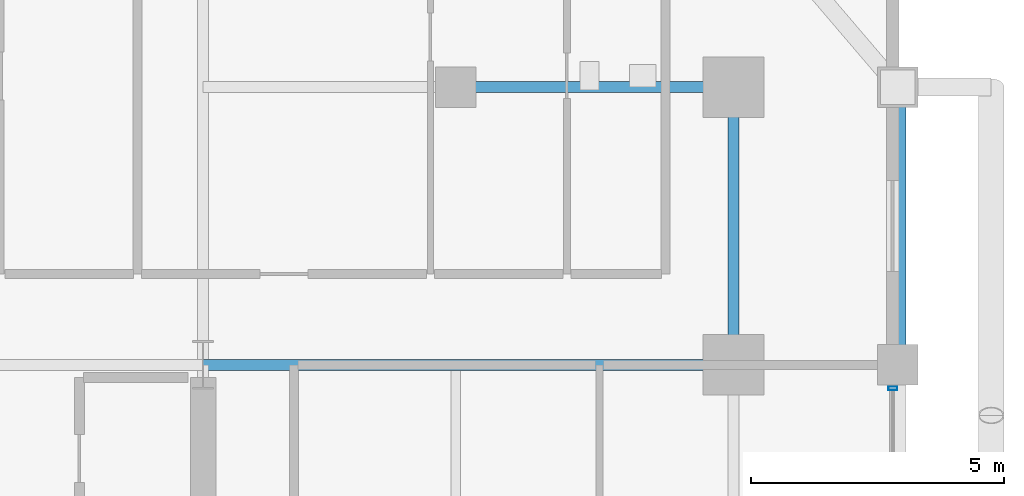
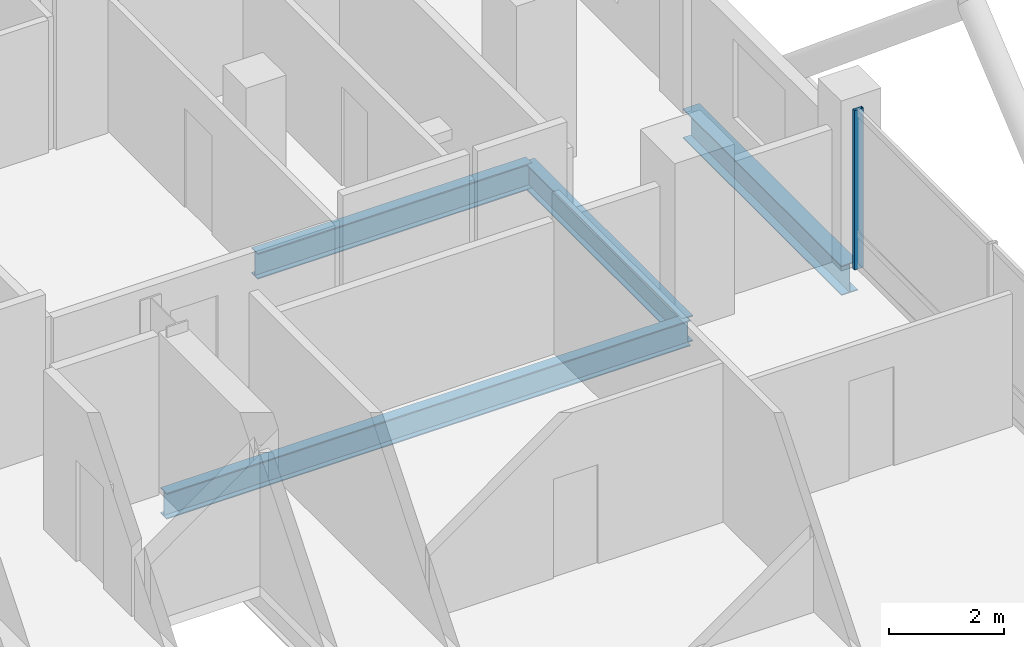
# One storey, part 17 of 24: 4 beams, 1 member, 1 element without a shape of its own.
"""IFC4 building model written with IfcOpenShell, lengths in metres."""

import ifcopenshell
import ifcopenshell.guid

model = None  # the IFC model being written
_history = None  # IfcOwnerHistory: only IFC2X3 demands one
_inside = {}  # id of a spatial element -> (the spatial element, [elements in it])
_under = {}  # id of a project, library or spatial element -> (it, [spatial elements below it])
_declared = {}  # id of a project -> (the project, [libraries it declares])
_typed = {}  # id of a type object -> (the type object, [elements of that type])
_made_of = {}  # id of a material, layer set ... -> (it, [elements and type objects made of it])


def new_model(schema):
    """Start an empty IFC model of exactly this schema.

    Asked for "IFC4X3", IfcOpenShell would pick the latest addendum, in which some entities
    have other attributes; the version numbers below select the first issue.
    IFC2X3 requires an IfcOwnerHistory on every rooted entity: one is made here for all.
    """
    global model, _history
    if schema == "IFC4X3":
        model = ifcopenshell.file(schema_version=(4, 3, 0, 0))
    else:
        model = ifcopenshell.file(schema=schema)
    _inside.clear()
    _under.clear()
    _declared.clear()
    _typed.clear()
    _made_of.clear()
    _history = None
    if model.schema == "IFC2X3":
        org = make("IfcOrganization", Name="unknown")
        user = make(
            "IfcPersonAndOrganization",
            ThePerson=make("IfcPerson", FamilyName="unknown"),
            TheOrganization=org,
        )
        app = make(
            "IfcApplication",
            ApplicationDeveloper=org,
            Version="unknown",
            ApplicationFullName="unknown",
            ApplicationIdentifier="unknown",
        )
        _history = make(
            "IfcOwnerHistory",
            OwningUser=user,
            OwningApplication=app,
            ChangeAction="ADDED",
            CreationDate=0,
        )
    return model


def make(cls, **values):
    """One entity of the class cls with the attributes given. An attribute that is None is left unset."""
    return model.create_entity(
        cls, **{name: value for name, value in values.items() if value is not None}
    )


def rooted(cls, **values):
    """An entity with a GlobalId (a new one), such as an element, a storey or a relation."""
    return make(cls, GlobalId=ifcopenshell.guid.new(), OwnerHistory=_history, **values)


def si_unit(unit_type, name, prefix=None):
    """IfcSIUnit, for example si_unit("LENGTHUNIT", "METRE", prefix="MILLI")."""
    return make("IfcSIUnit", UnitType=unit_type, Prefix=prefix, Name=name)


def assignment(units):
    """IfcUnitAssignment: the units of a project."""
    return None if units is None else make("IfcUnitAssignment", Units=units)


def point(xyz):
    """IfcCartesianPoint."""
    return None if xyz is None else make("IfcCartesianPoint", Coordinates=xyz)


def direction(xyz):
    """IfcDirection."""
    return None if xyz is None else make("IfcDirection", DirectionRatios=xyz)


def frame(location, z_axis=None, x_axis=None):
    """IfcAxis2Placement3D, a coordinate frame: its origin and axes. An axis left out is left unset."""
    return make(
        "IfcAxis2Placement3D",
        Location=point(location),
        Axis=direction(z_axis),
        RefDirection=direction(x_axis),
    )


def frame_2d(location, x_axis=None):
    """IfcAxis2Placement2D, a coordinate frame in the plane: its origin and x axis."""
    return make(
        "IfcAxis2Placement2D", Location=point(location), RefDirection=direction(x_axis)
    )


def origin():
    """The frame at (0, 0, 0) with its axes left unset."""
    return frame((0.0, 0.0, 0.0))


def origin_2d():
    """The frame at (0, 0) in the plane with its x axis left unset."""
    return frame_2d((0.0, 0.0))


def place(relative_to, where):
    """IfcLocalPlacement: puts the frame where relative to a parent placement (None: the world)."""
    return make(
        "IfcLocalPlacement", PlacementRelTo=relative_to, RelativePlacement=where
    )


def context(
    kind, dimensions, precision=None, world=None, true_north=None, identifier=None
):
    """IfcGeometricRepresentationContext, for example the 3D "Model" context."""
    return make(
        "IfcGeometricRepresentationContext",
        ContextIdentifier=identifier,
        ContextType=kind,
        CoordinateSpaceDimension=dimensions,
        Precision=precision,
        WorldCoordinateSystem=world,
        TrueNorth=true_north,
    )


def subcontext(parent, identifier, kind, view, scale=None):
    """IfcGeometricRepresentationSubContext, for example "Body" below "Model"."""
    return make(
        "IfcGeometricRepresentationSubContext",
        ContextIdentifier=identifier,
        ContextType=kind,
        ParentContext=parent,
        TargetScale=scale,
        TargetView=view,
    )


def project(units=None, contexts=None):
    """IfcProject with its units and contexts."""
    return rooted(
        "IfcProject",
        Name="project",
        RepresentationContexts=contexts,
        UnitsInContext=assignment(units),
    )


def spatial(cls, under=None, at=None, **own):
    """A site, building, storey or space (cls), placed at a placement, below another one or the project."""
    s = rooted(cls, ObjectPlacement=at, **own)
    if under is not None:
        _under.setdefault(under.id(), (under, []))[1].append(s)
    return s


def profile(cls, at=None, kind="AREA", **sizes):
    """A parametric profile (cls). Its sizes go by their IFC names, for example OverallWidth=200.0."""
    return make(cls, ProfileType=kind, Position=at, **sizes)


def hollow_rectangle(**sizes):
    """IfcRectangleHollowProfileDef."""
    return profile("IfcRectangleHollowProfileDef", **sizes)


def i_section(**sizes):
    """IfcIShapeProfileDef."""
    return profile("IfcIShapeProfileDef", **sizes)


def extrude(swept, where, along, depth):
    """IfcExtrudedAreaSolid: the profile swept, set in the frame where, extruded along a direction by depth."""
    return make(
        "IfcExtrudedAreaSolid",
        SweptArea=swept,
        Position=where,
        ExtrudedDirection=direction(along),
        Depth=depth,
    )


def shape(context_of_items, identifier, shape_type, items):
    """IfcShapeRepresentation: the items that make up one representation, for example the "Body"."""
    return make(
        "IfcShapeRepresentation",
        ContextOfItems=context_of_items,
        RepresentationIdentifier=identifier,
        RepresentationType=shape_type,
        Items=items,
    )


def material(Name=None, Category=None):
    """IfcMaterial."""
    return make("IfcMaterial", Name=Name, Category=Category)


def layer(
    of_material, thickness, ventilated=None, Name=None, Category=None, Priority=None
):
    """IfcMaterialLayer: one layer of a wall or slab, of a material (None: an air gap)."""
    return make(
        "IfcMaterialLayer",
        Material=of_material,
        LayerThickness=thickness,
        IsVentilated=ventilated,
        Name=Name,
        Category=Category,
        Priority=Priority,
    )


def layer_set(layers, Name=None):
    """IfcMaterialLayerSet."""
    return make("IfcMaterialLayerSet", MaterialLayers=layers, LayerSetName=Name)


def material_profile(
    of_material, cross_section, Name=None, Category=None, Priority=None
):
    """IfcMaterialProfile: a cross section and its material."""
    return make(
        "IfcMaterialProfile",
        Name=Name,
        Material=of_material,
        Profile=cross_section,
        Priority=Priority,
        Category=Category,
    )


def profile_set(profiles, Name=None, composite=None):
    """IfcMaterialProfileSet."""
    return make(
        "IfcMaterialProfileSet",
        Name=Name,
        MaterialProfiles=profiles,
        CompositeProfile=composite,
    )


def made_of(thing, what):
    """Note that an element or type object is made of a material, layer set ...; save() writes the relation."""
    if what is not None:
        _made_of.setdefault(what.id(), (what, []))[1].append(thing)
    return thing


def type_object(cls, material=None, **own):
    """A type object (cls), such as IfcWallType, which elements share."""
    return made_of(rooted(cls, **own), material)


def element(
    cls,
    number,
    at=None,
    inside=None,
    cuts=None,
    type_object=None,
    material=None,
    context=None,
    identifier="Body",
    shape_type=None,
    held_by="IfcProductDefinitionShape",
    body=None,
    shapes=None,
    **own,
):
    """One element of the class cls, such as IfcWall. Its Tag is "e" and its number.

    at: its placement. inside: the storey or other place that contains it. cuts: it is an
    opening in that element (IfcRelVoidsElement). A single representation is given by context,
    identifier, shape_type and body (its items); several are given by shapes. held_by: the class
    of the entity that holds the representations. save() writes the other relations.
    """
    e = rooted(cls, Tag="e%d" % number, ObjectPlacement=at, **own)
    if body is not None:
        shapes = [shape(context, identifier, shape_type, body)]
    if shapes is not None:
        e.Representation = make(held_by, Representations=shapes)
    if inside is not None:
        _inside.setdefault(inside.id(), (inside, []))[1].append(e)
    if cuts is not None:
        rooted(
            "IfcRelVoidsElement", RelatingBuildingElement=cuts, RelatedOpeningElement=e
        )
    if type_object is not None:
        _typed.setdefault(type_object.id(), (type_object, []))[1].append(e)
    return made_of(e, material)


def aggregate(whole, parts):
    """IfcRelAggregates: a whole, such as a stair, and the parts it consists of."""
    return rooted("IfcRelAggregates", RelatingObject=whole, RelatedObjects=parts)


def save(model, path):
    """Write the relations noted so far, then the file.

    IfcRelAggregates (storeys below a building ...), IfcRelContainedInSpatialStructure (elements
    in a storey), IfcRelDefinesByType, IfcRelAssociatesMaterial and IfcRelDeclares: one each for
    every whole, place, type object, material and project.
    """
    for whole, parts in _under.values():
        aggregate(whole, parts)
    for where, things in _inside.values():
        rooted(
            "IfcRelContainedInSpatialStructure",
            RelatedElements=things,
            RelatingStructure=where,
        )
    for kind, things in _typed.values():
        rooted("IfcRelDefinesByType", RelatedObjects=things, RelatingType=kind)
    for what, things in _made_of.values():
        rooted("IfcRelAssociatesMaterial", RelatedObjects=things, RelatingMaterial=what)
    for by, libraries in _declared.values():
        rooted("IfcRelDeclares", RelatingContext=by, RelatedDefinitions=libraries)
    model.write(path)


model = new_model("IFC4")

# Units and contexts
model_context = context("Model", 3, precision=1e-05, world=origin(), true_north=direction((0.0, 1.0)))
body_context = subcontext(model_context, "Body", "Model", "MODEL_VIEW")
ifc_project = project(units=[si_unit("LENGTHUNIT", "METRE"), si_unit("AREAUNIT", "SQUARE_METRE"), si_unit("VOLUMEUNIT", "CUBIC_METRE"), si_unit("PLANEANGLEUNIT", "RADIAN"), si_unit("MASSUNIT", "GRAM", prefix="KILO")], contexts=[model_context])

# Site, building, storey
site_placement = place(None, origin())
site = spatial("IfcSite", under=ifc_project, at=site_placement, CompositionType="ELEMENT")
building_placement = place(site_placement, origin())
building = spatial("IfcBuilding", under=site, at=building_placement, Name="Barlavira Tower and Art Museum", CompositionType="ELEMENT")
storey_placement = place(building_placement, frame((0.0, 0.0, 109.800048828125)))
storey = spatial("IfcBuildingStorey", under=building, at=storey_placement, Name="L27", CompositionType="ELEMENT", Elevation=109.800048828125)

# Curtain wall, member
ifc_material_1 = material(Name="Low-iron coastal laminated glass", Category="glass")
ifc_layer = layer(ifc_material_1, 0.18994140625, Name="Low-iron coastal laminated glass")
ifc_layer_set = layer_set([ifc_layer], Name="Low-iron coastal laminated glass")
curtain_wall_type = type_object("IfcCurtainWallType", Name="Pale-Metal Unitised Curtain Wall Zone 2", PredefinedType="NOTDEFINED", material=ifc_layer_set)
curtain_wall_placement = place(storey_placement, origin())
curtain_wall = element("IfcCurtainWall", 1, at=curtain_wall_placement, inside=storey, type_object=curtain_wall_type, Name="L27 Curtain Wall CW2-L27-E-B3", PredefinedType="NOTDEFINED")
ifc_material_2 = material(Name="Pale anodised aluminium", Category="aluminium")
ifc_material_profile_1 = material_profile(ifc_material_2, hollow_rectangle(XDim=0.06494140625, YDim=0.179931640625, WallThickness=0.00390625, at=origin_2d()), Name="ALU-MULL 65x180x4")
ifc_profile_set_1 = profile_set([ifc_material_profile_1], Name="Pale anodised aluminium")
member_type = type_object("IfcMemberType", Name="Curtain Wall Pale-Metal Mullion 65x180", PredefinedType="MULLION", material=ifc_profile_set_1)
member_placement = place(storey_placement, frame((20.14990234375, 7.034912109375, 0.0), z_axis=(0.0, 0.0, 1.0), x_axis=(0.0, 1.0, 0.0)))
member = element("IfcMember", 2, at=member_placement, type_object=member_type, Name="CW2-L27-E-B3 Mullion 3", PredefinedType="MULLION", context=body_context, shape_type="SweptSolid", body=[
    extrude(hollow_rectangle(XDim=0.06494140625, YDim=0.179931640625, WallThickness=0.00390625, at=origin_2d()), origin(), (0.0, 0.0, 1.0), 3.3798828125),
])
aggregate(curtain_wall, [member])

# Beams
ifc_material_3 = material(Name="Steel S355", Category="steel")
ifc_material_profile_2 = material_profile(ifc_material_3, i_section(OverallWidth=0.327880859375, OverallDepth=0.62890625, WebThickness=0.013916015625, FlangeThickness=0.021484375, at=origin_2d()), Name="W610x174.0")
ifc_profile_set_2 = profile_set([ifc_material_profile_2], Name="Steel S355")
beam_type_1 = type_object("IfcBeamType", Name="Perimeter Spandrel Edge Beam W610x174 Steel S355", PredefinedType="SPANDREL", material=ifc_profile_set_2)
beam_1_placement = place(storey_placement, frame((20.25, 7.5, -0.53466796875), z_axis=(0.0, 1.0, 0.0), x_axis=(-1.0, 0.0, 0.0)))
element("IfcBeam", 3, at=beam_1_placement, inside=storey, type_object=beam_type_1, Name="L27 Spandrel 7", PredefinedType="SPANDREL", context=body_context, shape_type="SweptSolid", body=[
    extrude(i_section(OverallWidth=0.327880859375, OverallDepth=0.62890625, WebThickness=0.013916015625, FlangeThickness=0.021484375, at=origin_2d()), origin(), (0.0, 0.0, 1.0), 5.5),
])
ifc_material_profile_3 = material_profile(ifc_material_3, i_section(OverallWidth=0.214111328125, OverallDepth=0.549072265625, WebThickness=0.0146484375, FlangeThickness=0.023681640625, at=origin_2d()), Name="W530x138.0")
ifc_profile_set_3 = profile_set([ifc_material_profile_3], Name="Steel S355")
beam_type_2 = type_object("IfcBeamType", Name="Zone 1 Primary Floor Girder W530x138 Steel S355", PredefinedType="BEAM", material=ifc_profile_set_3)
beam_2_placement = place(storey_placement, frame((17.0, 7.5, -0.49462890625), z_axis=(0.0, 1.0, 0.0), x_axis=(-1.0, 0.0, 0.0)))
element("IfcBeam", 4, at=beam_2_placement, inside=storey, type_object=beam_type_2, Name="L27 Girder M-E3", PredefinedType="BEAM", context=body_context, shape_type="SweptSolid", body=[
    extrude(i_section(OverallWidth=0.214111328125, OverallDepth=0.549072265625, WebThickness=0.0146484375, FlangeThickness=0.023681640625, at=origin_2d()), origin(), (0.0, 0.0, 1.0), 5.5),
])
beam_3_placement = place(storey_placement, frame((6.5, 7.5, -0.49462890625), z_axis=(1.0, 0.0, 0.0), x_axis=(0.0, 1.0, 0.0)))
element("IfcBeam", 5, at=beam_3_placement, inside=storey, type_object=beam_type_2, Name="L27 Girder R-E2", PredefinedType="BEAM", context=body_context, shape_type="SweptSolid", body=[
    extrude(i_section(OverallWidth=0.214111328125, OverallDepth=0.549072265625, WebThickness=0.0146484375, FlangeThickness=0.023681640625, at=origin_2d()), origin(), (0.0, 0.0, 1.0), 10.5),
])
beam_4_placement = place(storey_placement, frame((11.5, 13.0, -0.49462890625), z_axis=(1.0, 0.0, 0.0), x_axis=(0.0, 1.0, 0.0)))
element("IfcBeam", 6, at=beam_4_placement, inside=storey, type_object=beam_type_2, Name="L27 Girder I-N4", PredefinedType="BEAM", context=body_context, shape_type="SweptSolid", body=[
    extrude(i_section(OverallWidth=0.214111328125, OverallDepth=0.549072265625, WebThickness=0.0146484375, FlangeThickness=0.023681640625, at=origin_2d()), origin(), (0.0, 0.0, 1.0), 5.5),
])

save(model, "model.ifc")
